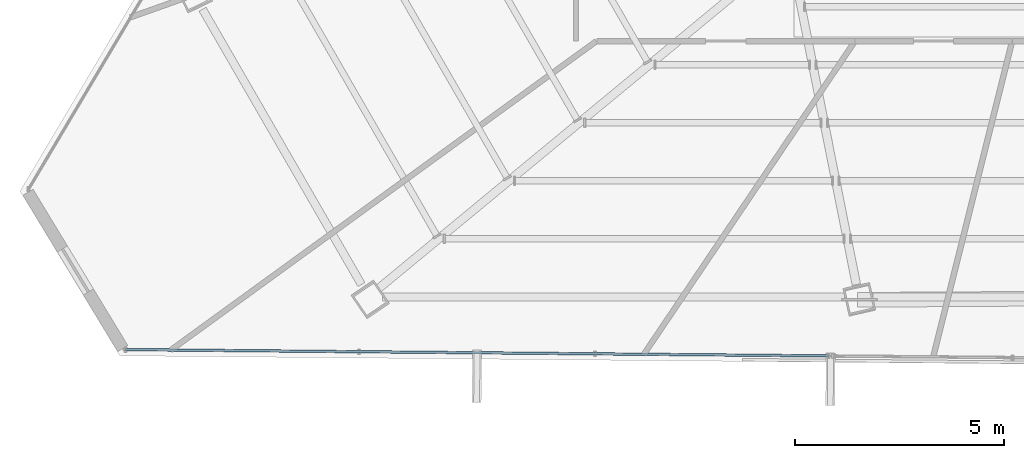
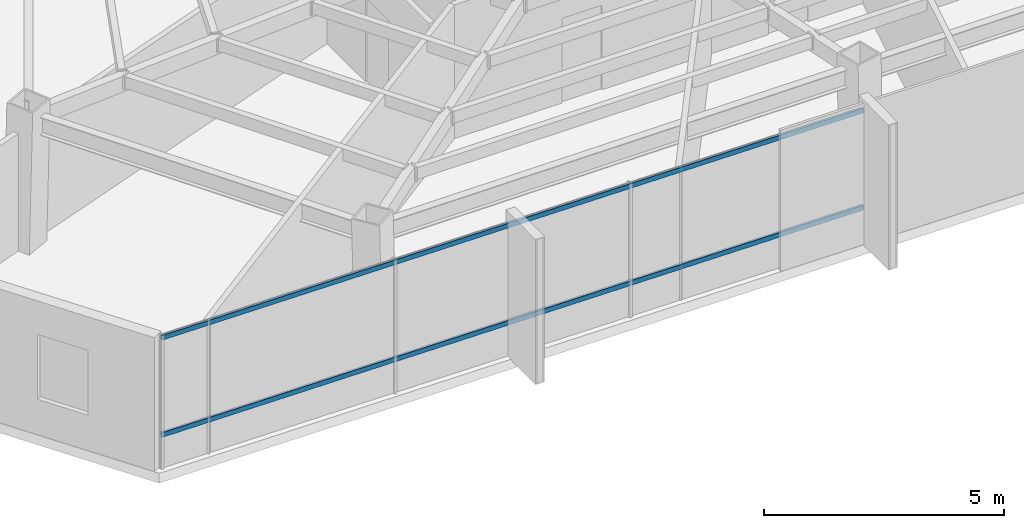
# One storey, part 4 of 45: 2 members, 1 element without a shape of its own.
"""IFC4 building model written with IfcOpenShell, lengths in metres."""

import ifcopenshell
import ifcopenshell.guid

model = None  # the IFC model being written
_history = None  # IfcOwnerHistory: only IFC2X3 demands one
_inside = {}  # id of a spatial element -> (the spatial element, [elements in it])
_under = {}  # id of a project, library or spatial element -> (it, [spatial elements below it])
_declared = {}  # id of a project -> (the project, [libraries it declares])
_typed = {}  # id of a type object -> (the type object, [elements of that type])
_made_of = {}  # id of a material, layer set ... -> (it, [elements and type objects made of it])


def new_model(schema):
    """Start an empty IFC model of exactly this schema.

    Asked for "IFC4X3", IfcOpenShell would pick the latest addendum, in which some entities
    have other attributes; the version numbers below select the first issue.
    IFC2X3 requires an IfcOwnerHistory on every rooted entity: one is made here for all.
    """
    global model, _history
    if schema == "IFC4X3":
        model = ifcopenshell.file(schema_version=(4, 3, 0, 0))
    else:
        model = ifcopenshell.file(schema=schema)
    _inside.clear()
    _under.clear()
    _declared.clear()
    _typed.clear()
    _made_of.clear()
    _history = None
    if model.schema == "IFC2X3":
        org = make("IfcOrganization", Name="unknown")
        user = make(
            "IfcPersonAndOrganization",
            ThePerson=make("IfcPerson", FamilyName="unknown"),
            TheOrganization=org,
        )
        app = make(
            "IfcApplication",
            ApplicationDeveloper=org,
            Version="unknown",
            ApplicationFullName="unknown",
            ApplicationIdentifier="unknown",
        )
        _history = make(
            "IfcOwnerHistory",
            OwningUser=user,
            OwningApplication=app,
            ChangeAction="ADDED",
            CreationDate=0,
        )
    return model


def make(cls, **values):
    """One entity of the class cls with the attributes given. An attribute that is None is left unset."""
    return model.create_entity(
        cls, **{name: value for name, value in values.items() if value is not None}
    )


def rooted(cls, **values):
    """An entity with a GlobalId (a new one), such as an element, a storey or a relation."""
    return make(cls, GlobalId=ifcopenshell.guid.new(), OwnerHistory=_history, **values)


def si_unit(unit_type, name, prefix=None):
    """IfcSIUnit, for example si_unit("LENGTHUNIT", "METRE", prefix="MILLI")."""
    return make("IfcSIUnit", UnitType=unit_type, Prefix=prefix, Name=name)


def assignment(units):
    """IfcUnitAssignment: the units of a project."""
    return None if units is None else make("IfcUnitAssignment", Units=units)


def point(xyz):
    """IfcCartesianPoint."""
    return None if xyz is None else make("IfcCartesianPoint", Coordinates=xyz)


def direction(xyz):
    """IfcDirection."""
    return None if xyz is None else make("IfcDirection", DirectionRatios=xyz)


def frame(location, z_axis=None, x_axis=None):
    """IfcAxis2Placement3D, a coordinate frame: its origin and axes. An axis left out is left unset."""
    return make(
        "IfcAxis2Placement3D",
        Location=point(location),
        Axis=direction(z_axis),
        RefDirection=direction(x_axis),
    )


def frame_2d(location, x_axis=None):
    """IfcAxis2Placement2D, a coordinate frame in the plane: its origin and x axis."""
    return make(
        "IfcAxis2Placement2D", Location=point(location), RefDirection=direction(x_axis)
    )


def origin():
    """The frame at (0, 0, 0) with its axes left unset."""
    return frame((0.0, 0.0, 0.0))


def origin_2d():
    """The frame at (0, 0) in the plane with its x axis left unset."""
    return frame_2d((0.0, 0.0))


def place(relative_to, where):
    """IfcLocalPlacement: puts the frame where relative to a parent placement (None: the world)."""
    return make(
        "IfcLocalPlacement", PlacementRelTo=relative_to, RelativePlacement=where
    )


def context(
    kind, dimensions, precision=None, world=None, true_north=None, identifier=None
):
    """IfcGeometricRepresentationContext, for example the 3D "Model" context."""
    return make(
        "IfcGeometricRepresentationContext",
        ContextIdentifier=identifier,
        ContextType=kind,
        CoordinateSpaceDimension=dimensions,
        Precision=precision,
        WorldCoordinateSystem=world,
        TrueNorth=true_north,
    )


def subcontext(parent, identifier, kind, view, scale=None):
    """IfcGeometricRepresentationSubContext, for example "Body" below "Model"."""
    return make(
        "IfcGeometricRepresentationSubContext",
        ContextIdentifier=identifier,
        ContextType=kind,
        ParentContext=parent,
        TargetScale=scale,
        TargetView=view,
    )


def project(units=None, contexts=None):
    """IfcProject with its units and contexts."""
    return rooted(
        "IfcProject",
        Name="project",
        RepresentationContexts=contexts,
        UnitsInContext=assignment(units),
    )


def spatial(cls, under=None, at=None, **own):
    """A site, building, storey or space (cls), placed at a placement, below another one or the project."""
    s = rooted(cls, ObjectPlacement=at, **own)
    if under is not None:
        _under.setdefault(under.id(), (under, []))[1].append(s)
    return s


def profile(cls, at=None, kind="AREA", **sizes):
    """A parametric profile (cls). Its sizes go by their IFC names, for example OverallWidth=200.0."""
    return make(cls, ProfileType=kind, Position=at, **sizes)


def hollow_rectangle(**sizes):
    """IfcRectangleHollowProfileDef."""
    return profile("IfcRectangleHollowProfileDef", **sizes)


def extrude(swept, where, along, depth):
    """IfcExtrudedAreaSolid: the profile swept, set in the frame where, extruded along a direction by depth."""
    return make(
        "IfcExtrudedAreaSolid",
        SweptArea=swept,
        Position=where,
        ExtrudedDirection=direction(along),
        Depth=depth,
    )


def shape(context_of_items, identifier, shape_type, items):
    """IfcShapeRepresentation: the items that make up one representation, for example the "Body"."""
    return make(
        "IfcShapeRepresentation",
        ContextOfItems=context_of_items,
        RepresentationIdentifier=identifier,
        RepresentationType=shape_type,
        Items=items,
    )


def source(mapping_origin, context_of_items, identifier, shape_type, items):
    """IfcRepresentationMap: a shape defined once, which mapped items show again and again."""
    return make(
        "IfcRepresentationMap",
        MappingOrigin=mapping_origin,
        MappedRepresentation=shape(context_of_items, identifier, shape_type, items),
    )


def transform(
    local_origin,
    x_axis=None,
    y_axis=None,
    z_axis=None,
    scale=None,
    scale2=None,
    scale3=None,
    uniform=True,
):
    """IfcCartesianTransformationOperator3D, or its non-uniform kind. x_axis, y_axis, z_axis: its Axis1, 2, 3."""
    if uniform:
        return make(
            "IfcCartesianTransformationOperator3D",
            Axis1=direction(x_axis),
            Axis2=direction(y_axis),
            LocalOrigin=point(local_origin),
            Scale=scale,
            Axis3=direction(z_axis),
        )
    return make(
        "IfcCartesianTransformationOperator3DnonUniform",
        Axis1=direction(x_axis),
        Axis2=direction(y_axis),
        LocalOrigin=point(local_origin),
        Scale=scale,
        Axis3=direction(z_axis),
        Scale2=scale2,
        Scale3=scale3,
    )


def mapped(mapping_source, mapping_target):
    """IfcMappedItem: shows the shape of a source again, moved by a transform."""
    return make(
        "IfcMappedItem", MappingSource=mapping_source, MappingTarget=mapping_target
    )


def material(Name=None, Category=None):
    """IfcMaterial."""
    return make("IfcMaterial", Name=Name, Category=Category)


def material_profile(
    of_material, cross_section, Name=None, Category=None, Priority=None
):
    """IfcMaterialProfile: a cross section and its material."""
    return make(
        "IfcMaterialProfile",
        Name=Name,
        Material=of_material,
        Profile=cross_section,
        Priority=Priority,
        Category=Category,
    )


def profile_set(profiles, Name=None, composite=None):
    """IfcMaterialProfileSet."""
    return make(
        "IfcMaterialProfileSet",
        Name=Name,
        MaterialProfiles=profiles,
        CompositeProfile=composite,
    )


def made_of(thing, what):
    """Note that an element or type object is made of a material, layer set ...; save() writes the relation."""
    if what is not None:
        _made_of.setdefault(what.id(), (what, []))[1].append(thing)
    return thing


def type_object(cls, material=None, **own):
    """A type object (cls), such as IfcWallType, which elements share."""
    return made_of(rooted(cls, **own), material)


def type_shapes(of_type, sources):
    """Give a type object the sources (RepresentationMaps) that its elements show as mapped items."""
    of_type.RepresentationMaps = sources


def element(
    cls,
    number,
    at=None,
    inside=None,
    cuts=None,
    type_object=None,
    material=None,
    context=None,
    identifier="Body",
    shape_type=None,
    held_by="IfcProductDefinitionShape",
    body=None,
    shapes=None,
    **own,
):
    """One element of the class cls, such as IfcWall. Its Tag is "e" and its number.

    at: its placement. inside: the storey or other place that contains it. cuts: it is an
    opening in that element (IfcRelVoidsElement). A single representation is given by context,
    identifier, shape_type and body (its items); several are given by shapes. held_by: the class
    of the entity that holds the representations. save() writes the other relations.
    """
    e = rooted(cls, Tag="e%d" % number, ObjectPlacement=at, **own)
    if body is not None:
        shapes = [shape(context, identifier, shape_type, body)]
    if shapes is not None:
        e.Representation = make(held_by, Representations=shapes)
    if inside is not None:
        _inside.setdefault(inside.id(), (inside, []))[1].append(e)
    if cuts is not None:
        rooted(
            "IfcRelVoidsElement", RelatingBuildingElement=cuts, RelatedOpeningElement=e
        )
    if type_object is not None:
        _typed.setdefault(type_object.id(), (type_object, []))[1].append(e)
    return made_of(e, material)


def aggregate(whole, parts):
    """IfcRelAggregates: a whole, such as a stair, and the parts it consists of."""
    return rooted("IfcRelAggregates", RelatingObject=whole, RelatedObjects=parts)


def save(model, path):
    """Write the relations noted so far, then the file.

    IfcRelAggregates (storeys below a building ...), IfcRelContainedInSpatialStructure (elements
    in a storey), IfcRelDefinesByType, IfcRelAssociatesMaterial and IfcRelDeclares: one each for
    every whole, place, type object, material and project.
    """
    for whole, parts in _under.values():
        aggregate(whole, parts)
    for where, things in _inside.values():
        rooted(
            "IfcRelContainedInSpatialStructure",
            RelatedElements=things,
            RelatingStructure=where,
        )
    for kind, things in _typed.values():
        rooted("IfcRelDefinesByType", RelatedObjects=things, RelatingType=kind)
    for what, things in _made_of.values():
        rooted("IfcRelAssociatesMaterial", RelatedObjects=things, RelatingMaterial=what)
    for by, libraries in _declared.values():
        rooted("IfcRelDeclares", RelatingContext=by, RelatedDefinitions=libraries)
    model.write(path)


model = new_model("IFC4")

# Units and contexts
model_context = context("Model", 3, precision=1e-05, world=origin(), true_north=direction((0.0, 1.0)))
body_context = subcontext(model_context, "Body", "Model", "MODEL_VIEW")
ifc_project = project(units=[si_unit("LENGTHUNIT", "METRE"), si_unit("AREAUNIT", "SQUARE_METRE"), si_unit("VOLUMEUNIT", "CUBIC_METRE"), si_unit("PLANEANGLEUNIT", "RADIAN"), si_unit("MASSUNIT", "GRAM", prefix="KILO")], contexts=[model_context])

# Site, building, storey
site_placement = place(None, origin())
site = spatial("IfcSite", under=ifc_project, at=site_placement, CompositionType="ELEMENT")
building_placement = place(site_placement, origin())
building = spatial("IfcBuilding", under=site, at=building_placement, Name="Caelisora Broadcast Tower", CompositionType="ELEMENT")
storey_placement = place(building_placement, frame((0.0, 0.0, 240.800048828125)))
storey = spatial("IfcBuildingStorey", under=building, at=storey_placement, Name="L63", CompositionType="ELEMENT", Elevation=240.800048828125)

# Curtain wall, members
ifc_material_1 = material(Name="Unitised Aluminium and Low-E Glass Curtain Wall", Category="glass")
curtain_wall_type = type_object("IfcCurtainWallType", Name="CW-Z5", PredefinedType="NOTDEFINED", material=ifc_material_1)
curtain_wall_placement = place(storey_placement, origin())
curtain_wall = element("IfcCurtainWall", 1, at=curtain_wall_placement, inside=storey, type_object=curtain_wall_type, Name="L63 curtain wall CW-Z5", PredefinedType="NOTDEFINED")
ifc_material_2 = material(Name="Aluminium 6063-T6 Anodised Terracotta Bronze", Category="aluminium")
ifc_material_profile = material_profile(ifc_material_2, hollow_rectangle(XDim=0.06005859375, YDim=0.1201171875, WallThickness=0.0029296875, at=origin_2d()), Name="Aluminium 6063-T6 Anodised Terracotta Bronze")
ifc_profile_set = profile_set([ifc_material_profile], Name="Aluminium 6063-T6 Anodised Terracotta Bronze")
member_type = type_object("IfcMemberType", Name="CWT-03", PredefinedType="USERDEFINED", material=ifc_profile_set)
shared_shape = source(origin(), body_context, "Body", "SweptSolid", [
    extrude(hollow_rectangle(XDim=0.06005859375, YDim=0.1201171875, WallThickness=0.0029296875, at=origin_2d()), origin(), (0.0, 0.0, 1.0), 16.777099609375),
])
type_shapes(member_type, [shared_shape])
member_1_placement = place(storey_placement, frame((31.42333984375, 7.68408203125, 0.849853515625), z_axis=(-0.999959691343, 0.00897862404, 0.0), x_axis=(-0.00897862404, -0.999959691343, 0.0)))
member_1 = element("IfcMember", 2, at=member_1_placement, type_object=member_type, Name="L63-CW-B07 transom #1", ObjectType="TRANSOM", PredefinedType="USERDEFINED", context=body_context, shape_type="MappedRepresentation", body=[
    mapped(shared_shape, transform((0.0, 0.0, 0.0), scale=1.0)),
])
member_2_placement = place(storey_placement, frame((31.42333984375, 7.68408203125, 3.320068359375), z_axis=(-0.999959691343, 0.00897862404, 0.0), x_axis=(-0.00897862404, -0.999959691343, 0.0)))
member_2 = element("IfcMember", 3, at=member_2_placement, type_object=member_type, Name="L63-CW-B07 transom #2", ObjectType="TRANSOM", PredefinedType="USERDEFINED", context=body_context, shape_type="MappedRepresentation", body=[
    mapped(shared_shape, transform((0.0, 0.0, 0.0), scale=1.0)),
])
aggregate(curtain_wall, [member_1, member_2])

save(model, "model.ifc")
